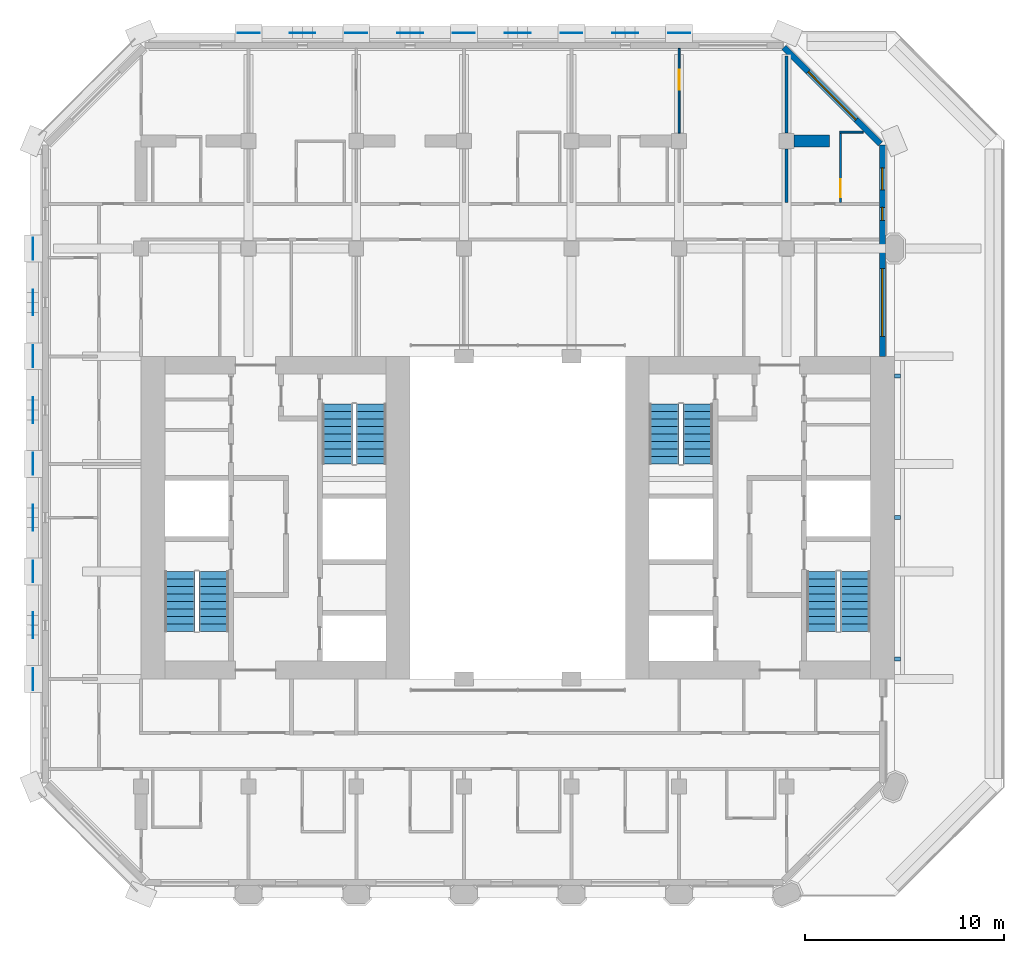
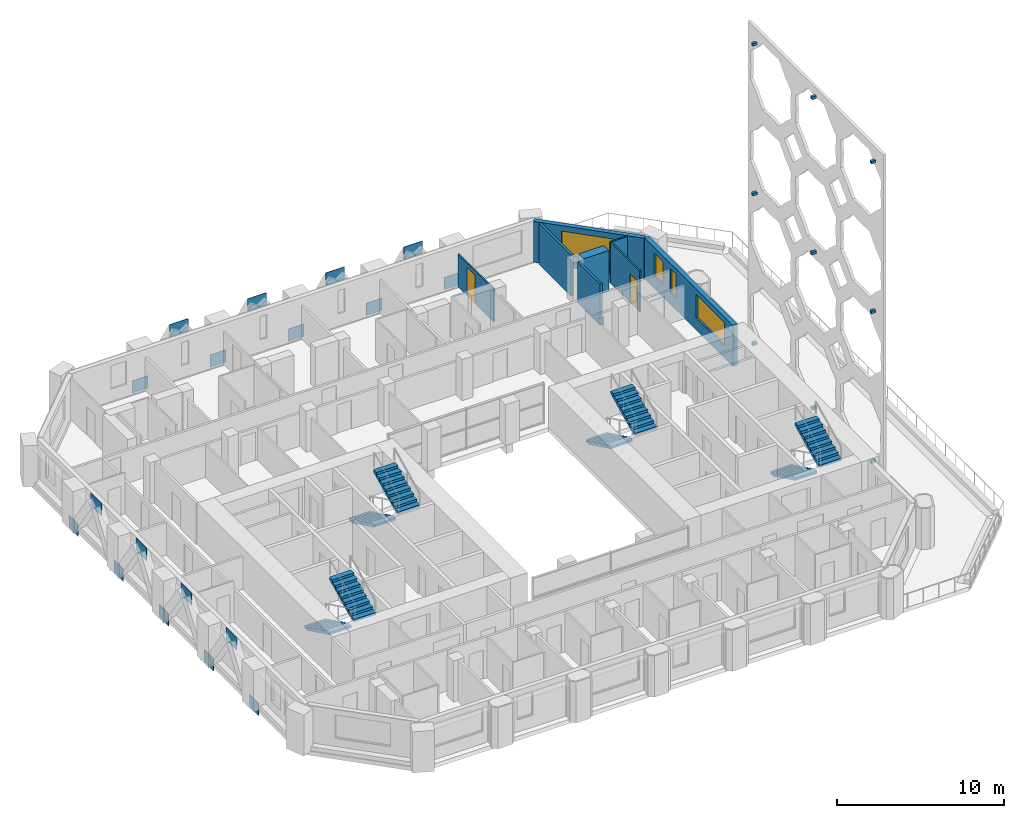
# One storey, part 12 of 15: 27 discrete accessories, 8 stair flights, 8 walls, 4 windows, 2 doors, 6 openings, 4 elements without a shape of their own.
"""IFC4 building model written with IfcOpenShell, lengths in metres."""

import ifcopenshell
import ifcopenshell.guid

model = None  # the IFC model being written
_history = None  # IfcOwnerHistory: only IFC2X3 demands one
_inside = {}  # id of a spatial element -> (the spatial element, [elements in it])
_under = {}  # id of a project, library or spatial element -> (it, [spatial elements below it])
_declared = {}  # id of a project -> (the project, [libraries it declares])
_typed = {}  # id of a type object -> (the type object, [elements of that type])
_made_of = {}  # id of a material, layer set ... -> (it, [elements and type objects made of it])


def new_model(schema):
    """Start an empty IFC model of exactly this schema.

    Asked for "IFC4X3", IfcOpenShell would pick the latest addendum, in which some entities
    have other attributes; the version numbers below select the first issue.
    IFC2X3 requires an IfcOwnerHistory on every rooted entity: one is made here for all.
    """
    global model, _history
    if schema == "IFC4X3":
        model = ifcopenshell.file(schema_version=(4, 3, 0, 0))
    else:
        model = ifcopenshell.file(schema=schema)
    _inside.clear()
    _under.clear()
    _declared.clear()
    _typed.clear()
    _made_of.clear()
    _history = None
    if model.schema == "IFC2X3":
        org = make("IfcOrganization", Name="unknown")
        user = make(
            "IfcPersonAndOrganization",
            ThePerson=make("IfcPerson", FamilyName="unknown"),
            TheOrganization=org,
        )
        app = make(
            "IfcApplication",
            ApplicationDeveloper=org,
            Version="unknown",
            ApplicationFullName="unknown",
            ApplicationIdentifier="unknown",
        )
        _history = make(
            "IfcOwnerHistory",
            OwningUser=user,
            OwningApplication=app,
            ChangeAction="ADDED",
            CreationDate=0,
        )
    return model


def make(cls, **values):
    """One entity of the class cls with the attributes given. An attribute that is None is left unset."""
    return model.create_entity(
        cls, **{name: value for name, value in values.items() if value is not None}
    )


def rooted(cls, **values):
    """An entity with a GlobalId (a new one), such as an element, a storey or a relation."""
    return make(cls, GlobalId=ifcopenshell.guid.new(), OwnerHistory=_history, **values)


def si_unit(unit_type, name, prefix=None):
    """IfcSIUnit, for example si_unit("LENGTHUNIT", "METRE", prefix="MILLI")."""
    return make("IfcSIUnit", UnitType=unit_type, Prefix=prefix, Name=name)


def assignment(units):
    """IfcUnitAssignment: the units of a project."""
    return None if units is None else make("IfcUnitAssignment", Units=units)


def point(xyz):
    """IfcCartesianPoint."""
    return None if xyz is None else make("IfcCartesianPoint", Coordinates=xyz)


def direction(xyz):
    """IfcDirection."""
    return None if xyz is None else make("IfcDirection", DirectionRatios=xyz)


def frame(location, z_axis=None, x_axis=None):
    """IfcAxis2Placement3D, a coordinate frame: its origin and axes. An axis left out is left unset."""
    return make(
        "IfcAxis2Placement3D",
        Location=point(location),
        Axis=direction(z_axis),
        RefDirection=direction(x_axis),
    )


def frame_2d(location, x_axis=None):
    """IfcAxis2Placement2D, a coordinate frame in the plane: its origin and x axis."""
    return make(
        "IfcAxis2Placement2D", Location=point(location), RefDirection=direction(x_axis)
    )


def origin():
    """The frame at (0, 0, 0) with its axes left unset."""
    return frame((0.0, 0.0, 0.0))


def origin_2d():
    """The frame at (0, 0) in the plane with its x axis left unset."""
    return frame_2d((0.0, 0.0))


def place(relative_to, where):
    """IfcLocalPlacement: puts the frame where relative to a parent placement (None: the world)."""
    return make(
        "IfcLocalPlacement", PlacementRelTo=relative_to, RelativePlacement=where
    )


def context(
    kind, dimensions, precision=None, world=None, true_north=None, identifier=None
):
    """IfcGeometricRepresentationContext, for example the 3D "Model" context."""
    return make(
        "IfcGeometricRepresentationContext",
        ContextIdentifier=identifier,
        ContextType=kind,
        CoordinateSpaceDimension=dimensions,
        Precision=precision,
        WorldCoordinateSystem=world,
        TrueNorth=true_north,
    )


def subcontext(parent, identifier, kind, view, scale=None):
    """IfcGeometricRepresentationSubContext, for example "Body" below "Model"."""
    return make(
        "IfcGeometricRepresentationSubContext",
        ContextIdentifier=identifier,
        ContextType=kind,
        ParentContext=parent,
        TargetScale=scale,
        TargetView=view,
    )


def project(units=None, contexts=None):
    """IfcProject with its units and contexts."""
    return rooted(
        "IfcProject",
        Name="project",
        RepresentationContexts=contexts,
        UnitsInContext=assignment(units),
    )


def spatial(cls, under=None, at=None, **own):
    """A site, building, storey or space (cls), placed at a placement, below another one or the project."""
    s = rooted(cls, ObjectPlacement=at, **own)
    if under is not None:
        _under.setdefault(under.id(), (under, []))[1].append(s)
    return s


def polyline(points):
    """IfcPolyline through the points."""
    return make("IfcPolyline", Points=[point(p) for p in points])


def profile(cls, at=None, kind="AREA", **sizes):
    """A parametric profile (cls). Its sizes go by their IFC names, for example OverallWidth=200.0."""
    return make(cls, ProfileType=kind, Position=at, **sizes)


def rectangle(**sizes):
    """IfcRectangleProfileDef."""
    return profile("IfcRectangleProfileDef", **sizes)


def outline(outer, holes=None, kind="AREA"):
    """IfcArbitraryClosedProfileDef: a profile drawn as a closed curve; with holes, ...WithVoids."""
    if holes is None:
        return make("IfcArbitraryClosedProfileDef", ProfileType=kind, OuterCurve=outer)
    return make(
        "IfcArbitraryProfileDefWithVoids",
        ProfileType=kind,
        OuterCurve=outer,
        InnerCurves=holes,
    )


def extrude(swept, where, along, depth):
    """IfcExtrudedAreaSolid: the profile swept, set in the frame where, extruded along a direction by depth."""
    return make(
        "IfcExtrudedAreaSolid",
        SweptArea=swept,
        Position=where,
        ExtrudedDirection=direction(along),
        Depth=depth,
    )


def shape(context_of_items, identifier, shape_type, items):
    """IfcShapeRepresentation: the items that make up one representation, for example the "Body"."""
    return make(
        "IfcShapeRepresentation",
        ContextOfItems=context_of_items,
        RepresentationIdentifier=identifier,
        RepresentationType=shape_type,
        Items=items,
    )


def material(Name=None, Category=None):
    """IfcMaterial."""
    return make("IfcMaterial", Name=Name, Category=Category)


def layer(
    of_material, thickness, ventilated=None, Name=None, Category=None, Priority=None
):
    """IfcMaterialLayer: one layer of a wall or slab, of a material (None: an air gap)."""
    return make(
        "IfcMaterialLayer",
        Material=of_material,
        LayerThickness=thickness,
        IsVentilated=ventilated,
        Name=Name,
        Category=Category,
        Priority=Priority,
    )


def layer_set(layers, Name=None):
    """IfcMaterialLayerSet."""
    return make("IfcMaterialLayerSet", MaterialLayers=layers, LayerSetName=Name)


def made_of(thing, what):
    """Note that an element or type object is made of a material, layer set ...; save() writes the relation."""
    if what is not None:
        _made_of.setdefault(what.id(), (what, []))[1].append(thing)
    return thing


def type_object(cls, material=None, **own):
    """A type object (cls), such as IfcWallType, which elements share."""
    return made_of(rooted(cls, **own), material)


def element(
    cls,
    number,
    at=None,
    inside=None,
    cuts=None,
    type_object=None,
    material=None,
    context=None,
    identifier="Body",
    shape_type=None,
    held_by="IfcProductDefinitionShape",
    body=None,
    shapes=None,
    **own,
):
    """One element of the class cls, such as IfcWall. Its Tag is "e" and its number.

    at: its placement. inside: the storey or other place that contains it. cuts: it is an
    opening in that element (IfcRelVoidsElement). A single representation is given by context,
    identifier, shape_type and body (its items); several are given by shapes. held_by: the class
    of the entity that holds the representations. save() writes the other relations.
    """
    e = rooted(cls, Tag="e%d" % number, ObjectPlacement=at, **own)
    if body is not None:
        shapes = [shape(context, identifier, shape_type, body)]
    if shapes is not None:
        e.Representation = make(held_by, Representations=shapes)
    if inside is not None:
        _inside.setdefault(inside.id(), (inside, []))[1].append(e)
    if cuts is not None:
        rooted(
            "IfcRelVoidsElement", RelatingBuildingElement=cuts, RelatedOpeningElement=e
        )
    if type_object is not None:
        _typed.setdefault(type_object.id(), (type_object, []))[1].append(e)
    return made_of(e, material)


def fill(opening, filler):
    """IfcRelFillsElement: the door or window that sits in an opening."""
    return rooted(
        "IfcRelFillsElement",
        RelatingOpeningElement=opening,
        RelatedBuildingElement=filler,
    )


def aggregate(whole, parts):
    """IfcRelAggregates: a whole, such as a stair, and the parts it consists of."""
    return rooted("IfcRelAggregates", RelatingObject=whole, RelatedObjects=parts)


def save(model, path):
    """Write the relations noted so far, then the file.

    IfcRelAggregates (storeys below a building ...), IfcRelContainedInSpatialStructure (elements
    in a storey), IfcRelDefinesByType, IfcRelAssociatesMaterial and IfcRelDeclares: one each for
    every whole, place, type object, material and project.
    """
    for whole, parts in _under.values():
        aggregate(whole, parts)
    for where, things in _inside.values():
        rooted(
            "IfcRelContainedInSpatialStructure",
            RelatedElements=things,
            RelatingStructure=where,
        )
    for kind, things in _typed.values():
        rooted("IfcRelDefinesByType", RelatedObjects=things, RelatingType=kind)
    for what, things in _made_of.values():
        rooted("IfcRelAssociatesMaterial", RelatedObjects=things, RelatingMaterial=what)
    for by, libraries in _declared.values():
        rooted("IfcRelDeclares", RelatingContext=by, RelatedDefinitions=libraries)
    model.write(path)


model = new_model("IFC4")

# Units and contexts
model_context = context("Model", 3, precision=1e-05, world=origin(), true_north=direction((0.0, 1.0)))
body_context = subcontext(model_context, "Body", "Model", "MODEL_VIEW")
ifc_project = project(units=[si_unit("LENGTHUNIT", "METRE"), si_unit("AREAUNIT", "SQUARE_METRE"), si_unit("VOLUMEUNIT", "CUBIC_METRE"), si_unit("PLANEANGLEUNIT", "RADIAN"), si_unit("MASSUNIT", "GRAM", prefix="KILO")], contexts=[model_context])

# Site, building, storey
site_placement = place(None, origin())
site = spatial("IfcSite", under=ifc_project, at=site_placement, CompositionType="ELEMENT")
building_placement = place(site_placement, origin())
building = spatial("IfcBuilding", under=site, at=building_placement, Name="Tabaq Tower and Sports Hall", CompositionType="ELEMENT")
storey_placement = place(building_placement, frame((0.0, 0.0, 207.10009765625)))
storey = spatial("IfcBuildingStorey", under=building, at=storey_placement, Name="L51", CompositionType="ELEMENT", Elevation=207.10009765625)

# Wall
ifc_material_1 = material(Name="Gypsum board on steel studs", Category="steel")
ifc_layer_1 = layer(ifc_material_1, 0.10009765625)
ifc_layer_set_1 = layer_set([ifc_layer_1], Name="Partition 100 Gypsum board")
wall_type_1 = type_object("IfcWallType", Name="Partition 100 Gypsum board", PredefinedType="PARTITIONING", material=ifc_layer_set_1)
wall_1_placement = place(storey_placement, frame((40.449951171875, 43.64990234375, 0.0), z_axis=(0.0, 0.0, 1.0), x_axis=(1.0, 0.0, 0.0)))
element("IfcWall", 1, at=wall_1_placement, inside=storey, type_object=wall_type_1, Name="Partition wall L51", PredefinedType="PARTITIONING", context=body_context, shape_type="SweptSolid", body=[
    extrude(rectangle(XDim=1.18798828125, YDim=0.10009765625, at=frame_2d((0.593994140625, 0.0))), origin(), (0.0, 0.0, 1.0), 3.0),
])

# Wall, opening, door
wall_2_placement = place(storey_placement, frame((40.5, 40.125, 0.0), z_axis=(0.0, 0.0, 1.0), x_axis=(0.0, 1.0, 0.0)))
wall_2 = element("IfcWall", 2, at=wall_2_placement, inside=storey, type_object=wall_type_1, Name="Partition wall L51", PredefinedType="PARTITIONING", context=body_context, shape_type="SweptSolid", body=[
    extrude(rectangle(XDim=3.47509765625, YDim=0.10009765625, at=frame_2d((1.737548828125, 0.0))), origin(), (0.0, 0.0, 1.0), 3.0),
])
opening_1_placement = place(wall_2_placement, frame((0.25, 0.0, 0.0)))
opening_1 = element("IfcOpeningElement", 3, at=opening_1_placement, cuts=wall_2, Name="Opening L51-002", PredefinedType="OPENING", context=body_context, shape_type="SweptSolid", body=[
    extrude(rectangle(XDim=0.89990234375, YDim=2.10009765625, at=frame_2d((0.449951171875, 1.050048828125))), frame((0.0, 0.050048828125, 0.0), z_axis=(0.0, -1.0, 0.0), x_axis=(1.0, 0.0, 0.0)), (0.0, 0.0, 1.0), 0.10009765625),
])
ifc_material_2 = material(Name="Timber leaf in steel frame", Category="steel")
door_type_1 = type_object("IfcDoorType", Name="Internal door 900 right hand", OperationType="SINGLE_SWING_RIGHT", PredefinedType="DOOR", material=ifc_material_2)
door_1_placement = place(opening_1_placement, origin())
door_1 = element("IfcDoor", 4, at=door_1_placement, inside=storey, type_object=door_type_1, Name="Internal door L51-002", OperationType="SINGLE_SWING_RIGHT", OverallHeight=2.10009765625, OverallWidth=0.89990234375, PredefinedType="DOOR", context=body_context, shape_type="SweptSolid", body=[
    extrude(rectangle(XDim=0.89990234375, YDim=2.10009765625, at=frame_2d((0.449951171875, 1.050048828125))), frame((0.0, 0.02490234375, 0.0), z_axis=(0.0, -1.0, 0.0), x_axis=(1.0, 0.0, 0.0)), (0.0, 0.0, 1.0), 0.050048828125),
])
fill(opening_1, door_1)

wall_3_placement = place(storey_placement, frame((32.39990234375, 43.594970703125, 0.0), z_axis=(0.0, 0.0, 1.0), x_axis=(0.0, 1.0, 0.0)))
wall_3 = element("IfcWall", 5, at=wall_3_placement, inside=storey, type_object=wall_type_1, Name="Partition wall L51", PredefinedType="PARTITIONING", context=body_context, shape_type="SweptSolid", body=[
    extrude(rectangle(XDim=4.254150390625, YDim=0.10009765625, at=frame_2d((2.126953125, 0.0))), origin(), (0.0, 0.0, 1.0), 2.39990234375),
])
opening_2_placement = place(wall_3_placement, frame((2.179931640625, 0.0, 0.0)))
opening_2 = element("IfcOpeningElement", 6, at=opening_2_placement, cuts=wall_3, Name="Opening L51-029", PredefinedType="OPENING", context=body_context, shape_type="SweptSolid", body=[
    extrude(rectangle(XDim=1.0, YDim=2.10009765625, at=frame_2d((0.5, 1.050048828125))), frame((0.0, 0.050048828125, 0.0), z_axis=(0.0, -1.0, 0.0), x_axis=(1.0, 0.0, 0.0)), (0.0, 0.0, 1.0), 0.10009765625),
])
ifc_material_3 = material(Name="Timber leaf in steel frame", Category="steel")
door_type_2 = type_object("IfcDoorType", Name="Internal door 1000 right hand", OperationType="SINGLE_SWING_RIGHT", PredefinedType="DOOR", material=ifc_material_3)
door_2_placement = place(opening_2_placement, origin())
door_2 = element("IfcDoor", 7, at=door_2_placement, inside=storey, type_object=door_type_2, Name="Internal door L51-029", OperationType="SINGLE_SWING_RIGHT", OverallHeight=2.10009765625, OverallWidth=1.0, PredefinedType="DOOR", context=body_context, shape_type="SweptSolid", body=[
    extrude(rectangle(XDim=1.0, YDim=2.10009765625, at=frame_2d((0.5, 1.050048828125))), frame((0.0, 0.02490234375, 0.0), z_axis=(0.0, -1.0, 0.0), x_axis=(1.0, 0.0, 0.0)), (0.0, 0.0, 1.0), 0.050048828125),
])
fill(opening_2, door_2)

# Walls
ifc_material_4 = material(Name="Concrete C50/60", Category="concrete")
ifc_layer_2 = layer(ifc_material_4, 0.60009765625)
ifc_layer_set_2 = layer_set([ifc_layer_2], Name="RC TRANSFER WALL 600 C50/60")
wall_type_2 = type_object("IfcWallType", Name="RC TRANSFER WALL 600 C50/60", PredefinedType="SHEAR", material=ifc_layer_set_2)
wall_4_placement = place(storey_placement, frame((38.175048828125, 43.199951171875, 0.0), z_axis=(0.0, 0.0, 1.0), x_axis=(1.0, 0.0, 0.0)))
element("IfcWall", 8, at=wall_4_placement, inside=storey, type_object=wall_type_2, Name="Transfer Wall L51 North 10", PredefinedType="SHEAR", context=body_context, shape_type="SweptSolid", body=[
    extrude(rectangle(XDim=1.762451171875, YDim=0.60009765625, at=frame_2d((0.88134765625, 0.0))), origin(), (0.0, 0.0, 1.0), 3.0),
])
ifc_material_5 = material(Name="Blockwork", Category="masonry")
ifc_layer_3 = layer(ifc_material_5, 0.14990234375)
ifc_layer_set_3 = layer_set([ifc_layer_3], Name="Separating wall 150 Blockwork")
wall_type_3 = type_object("IfcWallType", Name="Separating wall 150 Blockwork", PredefinedType="PARTITIONING", material=ifc_layer_set_3)
wall_5_placement = place(storey_placement, frame((37.800048828125, 47.462890625, 0.0), z_axis=(0.0, 0.0, 1.0), x_axis=(0.0, -1.0, 0.0)))
element("IfcWall", 9, at=wall_5_placement, inside=storey, type_object=wall_type_3, Name="Separating wall L51", PredefinedType="PARTITIONING", context=body_context, shape_type="SweptSolid", body=[
    extrude(rectangle(XDim=3.867919921875, YDim=0.14990234375, at=frame_2d((1.93408203125, 0.0))), origin(), (0.0, 0.0, 1.0), 3.0),
])
wall_6_placement = place(storey_placement, frame((37.800048828125, 42.804931640625, 0.0), z_axis=(0.0, 0.0, 1.0), x_axis=(0.0, -1.0, 0.0)))
element("IfcWall", 10, at=wall_6_placement, inside=storey, type_object=wall_type_3, Name="Separating wall L51", PredefinedType="PARTITIONING", context=body_context, shape_type="SweptSolid", body=[
    extrude(rectangle(XDim=2.679931640625, YDim=0.14990234375, at=frame_2d((1.33984375, 0.0))), origin(), (0.0, 0.0, 1.0), 3.0),
])

# Wall, openings, windows
ifc_material_6 = material(Name="White precast concrete C60/75", Category="concrete")
ifc_layer_4 = layer(ifc_material_6, 0.300048828125)
ifc_layer_set_4 = layer_set([ifc_layer_4], Name="White precast concrete C60/75 external wall 300")
wall_type_4 = type_object("IfcWallType", Name="White precast concrete C60/75 external wall 300", PredefinedType="SOLIDWALL", material=ifc_layer_set_4)
wall_7_placement = place(storey_placement, frame((42.60009765625, 32.39990234375, 0.0), z_axis=(0.0, 0.0, 1.0), x_axis=(0.0, 1.0, 0.0)))
wall_7 = element("IfcWall", 11, at=wall_7_placement, inside=storey, type_object=wall_type_4, Name="External Wall L51 E", PredefinedType="SOLIDWALL", context=body_context, shape_type="SweptSolid", body=[
    extrude(rectangle(XDim=10.61376953125, YDim=0.300048828125, at=frame_2d((5.306884765625, 0.0))), origin(), (0.0, 0.0, 1.0), 3.0),
])
opening_3_placement = place(wall_7_placement, frame((1.0, 0.0, 0.89990234375)))
opening_3 = element("IfcOpeningElement", 12, at=opening_3_placement, cuts=wall_7, Name="Opening W1A", PredefinedType="OPENING", context=body_context, shape_type="SweptSolid", body=[
    extrude(rectangle(XDim=3.39990234375, YDim=1.699951171875, at=frame_2d((1.699951171875, 0.85009765625))), frame((0.0, 0.16015625, 0.0), z_axis=(0.0, -1.0, 0.0), x_axis=(1.0, 0.0, 0.0)), (0.0, 0.0, 1.0), 0.320068359375),
])
opening_4_placement = place(wall_7_placement, frame((6.824951171875, 0.0, 0.89990234375)))
opening_4 = element("IfcOpeningElement", 13, at=opening_4_placement, cuts=wall_7, Name="Opening W1C", PredefinedType="OPENING", context=body_context, shape_type="SweptSolid", body=[
    extrude(rectangle(XDim=0.64990234375, YDim=1.699951171875, at=frame_2d((0.324951171875, 0.85009765625))), frame((0.0, 0.16015625, 0.0), z_axis=(0.0, -1.0, 0.0), x_axis=(1.0, 0.0, 0.0)), (0.0, 0.0, 1.0), 0.320068359375),
])
opening_5_placement = place(wall_7_placement, frame((8.35009765625, 0.0, 0.89990234375)))
opening_5 = element("IfcOpeningElement", 14, at=opening_5_placement, cuts=wall_7, Name="Opening W1B", PredefinedType="OPENING", context=body_context, shape_type="SweptSolid", body=[
    extrude(rectangle(XDim=1.10009765625, YDim=1.699951171875, at=frame_2d((0.550048828125, 0.85009765625))), frame((0.0, 0.16015625, 0.0), z_axis=(0.0, -1.0, 0.0), x_axis=(1.0, 0.0, 0.0)), (0.0, 0.0, 1.0), 0.320068359375),
])
ifc_material_7 = material(Name="Aluminium framed clear glazing", Category="aluminium")
window_type_1 = type_object("IfcWindowType", Name="Window W1A", PartitioningType="SINGLE_PANEL", PredefinedType="WINDOW", material=ifc_material_7)
window_1_placement = place(opening_3_placement, origin())
window_1 = element("IfcWindow", 15, at=window_1_placement, inside=storey, type_object=window_type_1, Name="Window W1A L51", OverallHeight=1.699951171875, OverallWidth=3.39990234375, PartitioningType="SINGLE_PANEL", PredefinedType="WINDOW", context=body_context, shape_type="SweptSolid", body=[
    extrude(rectangle(XDim=3.39990234375, YDim=1.699951171875, at=frame_2d((1.699951171875, 0.85009765625))), frame((0.0, 0.030029296875, 0.0), z_axis=(0.0, -1.0, 0.0), x_axis=(1.0, 0.0, 0.0)), (0.0, 0.0, 1.0), 0.06005859375),
])
fill(opening_3, window_1)
ifc_material_8 = material(Name="Aluminium framed clear glazing", Category="aluminium")
window_type_2 = type_object("IfcWindowType", Name="Window W1B", PartitioningType="SINGLE_PANEL", PredefinedType="WINDOW", material=ifc_material_8)
window_2_placement = place(opening_5_placement, origin())
window_2 = element("IfcWindow", 16, at=window_2_placement, inside=storey, type_object=window_type_2, Name="Window W1B L51", OverallHeight=1.699951171875, OverallWidth=1.10009765625, PartitioningType="SINGLE_PANEL", PredefinedType="WINDOW", context=body_context, shape_type="SweptSolid", body=[
    extrude(rectangle(XDim=1.10009765625, YDim=1.699951171875, at=frame_2d((0.550048828125, 0.85009765625))), frame((0.0, 0.030029296875, 0.0), z_axis=(0.0, -1.0, 0.0), x_axis=(1.0, 0.0, 0.0)), (0.0, 0.0, 1.0), 0.06005859375),
])
fill(opening_5, window_2)
ifc_material_9 = material(Name="Aluminium framed clear glazing", Category="aluminium")
window_type_3 = type_object("IfcWindowType", Name="Window W1C", PartitioningType="SINGLE_PANEL", PredefinedType="WINDOW", material=ifc_material_9)
window_3_placement = place(opening_4_placement, origin())
window_3 = element("IfcWindow", 17, at=window_3_placement, inside=storey, type_object=window_type_3, Name="Window W1C L51", OverallHeight=1.699951171875, OverallWidth=0.64990234375, PartitioningType="SINGLE_PANEL", PredefinedType="WINDOW", context=body_context, shape_type="SweptSolid", body=[
    extrude(rectangle(XDim=0.64990234375, YDim=1.699951171875, at=frame_2d((0.324951171875, 0.85009765625))), frame((0.0, 0.030029296875, 0.0), z_axis=(0.0, -1.0, 0.0), x_axis=(1.0, 0.0, 0.0)), (0.0, 0.0, 1.0), 0.06005859375),
])
fill(opening_4, window_3)

# Wall, opening, window
wall_8_placement = place(storey_placement, frame((42.5009765625, 43.050537109375, 0.0), z_axis=(0.0, 0.0, 1.0), x_axis=(-0.707106781187, 0.707106781187, 0.0)))
wall_8 = element("IfcWall", 18, at=wall_8_placement, inside=storey, type_object=wall_type_4, Name="External Wall L51 NE", PredefinedType="SOLIDWALL", context=body_context, shape_type="SweptSolid", body=[
    extrude(rectangle(XDim=6.85986328125, YDim=0.300048828125, at=frame_2d((3.429931640625, 0.0))), origin(), (0.0, 0.0, 1.0), 3.0),
])
opening_6_placement = place(wall_8_placement, frame((1.729736328125, 0.0, 0.89990234375)))
opening_6 = element("IfcOpeningElement", 19, at=opening_6_placement, cuts=wall_8, Name="Opening W1A", PredefinedType="OPENING", context=body_context, shape_type="SweptSolid", body=[
    extrude(rectangle(XDim=3.39990234375, YDim=1.699951171875, at=frame_2d((1.699951171875, 0.85009765625))), frame((0.0, 0.16015625, 0.0), z_axis=(0.0, -1.0, 0.0), x_axis=(1.0, 0.0, 0.0)), (0.0, 0.0, 1.0), 0.320068359375),
])
window_4_placement = place(opening_6_placement, origin())
window_4 = element("IfcWindow", 20, at=window_4_placement, inside=storey, type_object=window_type_1, Name="Window W1A L51", OverallHeight=1.699951171875, OverallWidth=3.39990234375, PartitioningType="SINGLE_PANEL", PredefinedType="WINDOW", context=body_context, shape_type="SweptSolid", body=[
    extrude(rectangle(XDim=3.39990234375, YDim=1.699951171875, at=frame_2d((1.699951171875, 0.85009765625))), frame((0.0, 0.030029296875, 0.0), z_axis=(0.0, -1.0, 0.0), x_axis=(1.0, 0.0, 0.0)), (0.0, 0.0, 1.0), 0.06005859375),
])
fill(opening_6, window_4)

# Stair, stair flights
ifc_material_10 = material(Name="Concrete C40/50", Category="concrete")
stair_type = type_object("IfcStairType", Name="Exit stair", PredefinedType="HALF_TURN_STAIR", material=ifc_material_10)
stair_1_placement = place(storey_placement, origin())
stair_1 = element("IfcStair", 21, at=stair_1_placement, inside=storey, type_object=stair_type, Name="L51 Exit stair ST1", PredefinedType="HALF_TURN_STAIR")
ifc_material_11 = material(Name="Concrete C40/50", Category="concrete")
stair_flight_type = type_object("IfcStairFlightType", Name="Exit stair flight", PredefinedType="STRAIGHT", material=ifc_material_11)
stair_flight_1_placement = place(storey_placement, frame((7.35009765625, 21.60009765625, 0.0), z_axis=(0.0, 0.0, 1.0), x_axis=(0.0, -1.0, 0.0)))
stair_flight_1 = element("IfcStairFlight", 22, at=stair_flight_1_placement, type_object=stair_flight_type, Name="ST1 flight 1", NumberOfRisers=9, NumberOfTreads=8, PredefinedType="STRAIGHT", RiserHeight=0.183333333, TreadLength=0.375, context=body_context, shape_type="SweptSolid", body=[
    extrude(outline(polyline([(0.0, 0.0), (0.0, 0.183349609375), (0.375, 0.183349609375), (0.375, 0.36669921875), (0.75, 0.36669921875), (0.75, 0.550048828125), (1.125, 0.550048828125), (1.125, 0.7333984375), (1.5, 0.7333984375), (1.5, 0.916748046875), (1.875, 0.916748046875), (1.875, 1.10009765625), (2.25, 1.10009765625), (2.25, 1.283447265625), (2.625, 1.283447265625), (2.625, 1.466552734375), (3.0, 1.466552734375), (3.0, 1.64990234375), (3.0, 1.2998046875), (0.34130859375, 0.0), (0.0, 0.0)])), frame((0.0, 0.75, 0.0), z_axis=(0.0, -1.0, 0.0), x_axis=(1.0, 0.0, 0.0)), (0.0, 0.0, 1.0), 1.5),
])
stair_flight_2_placement = place(storey_placement, frame((9.050048828125, 18.60009765625, 1.64990234375), z_axis=(0.0, 0.0, 1.0), x_axis=(0.0, 1.0, 0.0)))
stair_flight_2 = element("IfcStairFlight", 23, at=stair_flight_2_placement, type_object=stair_flight_type, Name="ST1 flight 2", NumberOfRisers=9, NumberOfTreads=8, PredefinedType="STRAIGHT", RiserHeight=0.183333333, TreadLength=0.375, context=body_context, shape_type="SweptSolid", body=[
    extrude(outline(polyline([(0.0, 0.0), (0.0, 0.183349609375), (0.375, 0.183349609375), (0.375, 0.36669921875), (0.75, 0.36669921875), (0.75, 0.550048828125), (1.125, 0.550048828125), (1.125, 0.7333984375), (1.5, 0.7333984375), (1.5, 0.916748046875), (1.875, 0.916748046875), (1.875, 1.10009765625), (2.25, 1.10009765625), (2.25, 1.283447265625), (2.625, 1.283447265625), (2.625, 1.466552734375), (3.0, 1.466552734375), (3.0, 1.64990234375), (3.0, 1.2998046875), (0.34130859375, 0.0), (0.0, 0.0)])), frame((0.0, 0.75, 0.0), z_axis=(0.0, -1.0, 0.0), x_axis=(1.0, 0.0, 0.0)), (0.0, 0.0, 1.0), 1.5),
])
aggregate(stair_1, [stair_flight_1, stair_flight_2])

stair_2_placement = place(storey_placement, origin())
stair_2 = element("IfcStair", 24, at=stair_2_placement, inside=storey, type_object=stair_type, Name="L51 Exit stair ST2", PredefinedType="HALF_TURN_STAIR")
stair_flight_3_placement = place(storey_placement, frame((15.25, 30.0, 0.0), z_axis=(0.0, 0.0, 1.0), x_axis=(0.0, -1.0, 0.0)))
stair_flight_3 = element("IfcStairFlight", 25, at=stair_flight_3_placement, type_object=stair_flight_type, Name="ST2 flight 1", NumberOfRisers=9, NumberOfTreads=8, PredefinedType="STRAIGHT", RiserHeight=0.183333333, TreadLength=0.375, context=body_context, shape_type="SweptSolid", body=[
    extrude(outline(polyline([(0.0, 0.0), (0.0, 0.183349609375), (0.375, 0.183349609375), (0.375, 0.36669921875), (0.75, 0.36669921875), (0.75, 0.550048828125), (1.125, 0.550048828125), (1.125, 0.7333984375), (1.5, 0.7333984375), (1.5, 0.916748046875), (1.875, 0.916748046875), (1.875, 1.10009765625), (2.25, 1.10009765625), (2.25, 1.283447265625), (2.625, 1.283447265625), (2.625, 1.466552734375), (3.0, 1.466552734375), (3.0, 1.64990234375), (3.0, 1.2998046875), (0.34130859375, 0.0), (0.0, 0.0)])), frame((0.0, 0.75, 0.0), z_axis=(0.0, -1.0, 0.0), x_axis=(1.0, 0.0, 0.0)), (0.0, 0.0, 1.0), 1.5),
])
stair_flight_4_placement = place(storey_placement, frame((16.949951171875, 27.0, 1.64990234375), z_axis=(0.0, 0.0, 1.0), x_axis=(0.0, 1.0, 0.0)))
stair_flight_4 = element("IfcStairFlight", 26, at=stair_flight_4_placement, type_object=stair_flight_type, Name="ST2 flight 2", NumberOfRisers=9, NumberOfTreads=8, PredefinedType="STRAIGHT", RiserHeight=0.183333333, TreadLength=0.375, context=body_context, shape_type="SweptSolid", body=[
    extrude(outline(polyline([(0.0, 0.0), (0.0, 0.183349609375), (0.375, 0.183349609375), (0.375, 0.36669921875), (0.75, 0.36669921875), (0.75, 0.550048828125), (1.125, 0.550048828125), (1.125, 0.7333984375), (1.5, 0.7333984375), (1.5, 0.916748046875), (1.875, 0.916748046875), (1.875, 1.10009765625), (2.25, 1.10009765625), (2.25, 1.283447265625), (2.625, 1.283447265625), (2.625, 1.466552734375), (3.0, 1.466552734375), (3.0, 1.64990234375), (3.0, 1.2998046875), (0.34130859375, 0.0), (0.0, 0.0)])), frame((0.0, 0.75, 0.0), z_axis=(0.0, -1.0, 0.0), x_axis=(1.0, 0.0, 0.0)), (0.0, 0.0, 1.0), 1.5),
])
aggregate(stair_2, [stair_flight_3, stair_flight_4])

stair_3_placement = place(storey_placement, origin())
stair_3 = element("IfcStair", 27, at=stair_3_placement, inside=storey, type_object=stair_type, Name="L51 Exit stair ST3", PredefinedType="HALF_TURN_STAIR")
stair_flight_5_placement = place(storey_placement, frame((39.550048828125, 21.60009765625, 0.0), z_axis=(0.0, 0.0, 1.0), x_axis=(0.0, -1.0, 0.0)))
stair_flight_5 = element("IfcStairFlight", 28, at=stair_flight_5_placement, type_object=stair_flight_type, Name="ST3 flight 1", NumberOfRisers=9, NumberOfTreads=8, PredefinedType="STRAIGHT", RiserHeight=0.183333333, TreadLength=0.375, context=body_context, shape_type="SweptSolid", body=[
    extrude(outline(polyline([(0.0, 0.0), (0.0, 0.183349609375), (0.375, 0.183349609375), (0.375, 0.36669921875), (0.75, 0.36669921875), (0.75, 0.550048828125), (1.125, 0.550048828125), (1.125, 0.7333984375), (1.5, 0.7333984375), (1.5, 0.916748046875), (1.875, 0.916748046875), (1.875, 1.10009765625), (2.25, 1.10009765625), (2.25, 1.283447265625), (2.625, 1.283447265625), (2.625, 1.466552734375), (3.0, 1.466552734375), (3.0, 1.64990234375), (3.0, 1.2998046875), (0.34130859375, 0.0), (0.0, 0.0)])), frame((0.0, 0.75, 0.0), z_axis=(0.0, -1.0, 0.0), x_axis=(1.0, 0.0, 0.0)), (0.0, 0.0, 1.0), 1.5),
])
stair_flight_6_placement = place(storey_placement, frame((41.25, 18.60009765625, 1.64990234375), z_axis=(0.0, 0.0, 1.0), x_axis=(0.0, 1.0, 0.0)))
stair_flight_6 = element("IfcStairFlight", 29, at=stair_flight_6_placement, type_object=stair_flight_type, Name="ST3 flight 2", NumberOfRisers=9, NumberOfTreads=8, PredefinedType="STRAIGHT", RiserHeight=0.183333333, TreadLength=0.375, context=body_context, shape_type="SweptSolid", body=[
    extrude(outline(polyline([(0.0, 0.0), (0.0, 0.183349609375), (0.375, 0.183349609375), (0.375, 0.36669921875), (0.75, 0.36669921875), (0.75, 0.550048828125), (1.125, 0.550048828125), (1.125, 0.7333984375), (1.5, 0.7333984375), (1.5, 0.916748046875), (1.875, 0.916748046875), (1.875, 1.10009765625), (2.25, 1.10009765625), (2.25, 1.283447265625), (2.625, 1.283447265625), (2.625, 1.466552734375), (3.0, 1.466552734375), (3.0, 1.64990234375), (3.0, 1.2998046875), (0.34130859375, 0.0), (0.0, 0.0)])), frame((0.0, 0.75, 0.0), z_axis=(0.0, -1.0, 0.0), x_axis=(1.0, 0.0, 0.0)), (0.0, 0.0, 1.0), 1.5),
])
aggregate(stair_3, [stair_flight_5, stair_flight_6])

stair_4_placement = place(storey_placement, origin())
stair_4 = element("IfcStair", 30, at=stair_4_placement, inside=storey, type_object=stair_type, Name="L51 Exit stair ST4", PredefinedType="HALF_TURN_STAIR")
stair_flight_7_placement = place(storey_placement, frame((31.64990234375, 30.0, 0.0), z_axis=(0.0, 0.0, 1.0), x_axis=(0.0, -1.0, 0.0)))
stair_flight_7 = element("IfcStairFlight", 31, at=stair_flight_7_placement, type_object=stair_flight_type, Name="ST4 flight 1", NumberOfRisers=9, NumberOfTreads=8, PredefinedType="STRAIGHT", RiserHeight=0.183333333, TreadLength=0.375, context=body_context, shape_type="SweptSolid", body=[
    extrude(outline(polyline([(0.0, 0.0), (0.0, 0.183349609375), (0.375, 0.183349609375), (0.375, 0.36669921875), (0.75, 0.36669921875), (0.75, 0.550048828125), (1.125, 0.550048828125), (1.125, 0.7333984375), (1.5, 0.7333984375), (1.5, 0.916748046875), (1.875, 0.916748046875), (1.875, 1.10009765625), (2.25, 1.10009765625), (2.25, 1.283447265625), (2.625, 1.283447265625), (2.625, 1.466552734375), (3.0, 1.466552734375), (3.0, 1.64990234375), (3.0, 1.2998046875), (0.34130859375, 0.0), (0.0, 0.0)])), frame((0.0, 0.75, 0.0), z_axis=(0.0, -1.0, 0.0), x_axis=(1.0, 0.0, 0.0)), (0.0, 0.0, 1.0), 1.5),
])
stair_flight_8_placement = place(storey_placement, frame((33.35009765625, 27.0, 1.64990234375), z_axis=(0.0, 0.0, 1.0), x_axis=(0.0, 1.0, 0.0)))
stair_flight_8 = element("IfcStairFlight", 32, at=stair_flight_8_placement, type_object=stair_flight_type, Name="ST4 flight 2", NumberOfRisers=9, NumberOfTreads=8, PredefinedType="STRAIGHT", RiserHeight=0.183333333, TreadLength=0.375, context=body_context, shape_type="SweptSolid", body=[
    extrude(outline(polyline([(0.0, 0.0), (0.0, 0.183349609375), (0.375, 0.183349609375), (0.375, 0.36669921875), (0.75, 0.36669921875), (0.75, 0.550048828125), (1.125, 0.550048828125), (1.125, 0.7333984375), (1.5, 0.7333984375), (1.5, 0.916748046875), (1.875, 0.916748046875), (1.875, 1.10009765625), (2.25, 1.10009765625), (2.25, 1.283447265625), (2.625, 1.283447265625), (2.625, 1.466552734375), (3.0, 1.466552734375), (3.0, 1.64990234375), (3.0, 1.2998046875), (0.34130859375, 0.0), (0.0, 0.0)])), frame((0.0, 0.75, 0.0), z_axis=(0.0, -1.0, 0.0), x_axis=(1.0, 0.0, 0.0)), (0.0, 0.0, 1.0), 1.5),
])
aggregate(stair_4, [stair_flight_7, stair_flight_8])

# Discrete accessories
ifc_material_12 = material(Name="Steel S355", Category="steel")
ifc_layer_5 = layer(ifc_material_12, 0.030029296875)
ifc_layer_set_5 = layer_set([ifc_layer_5], Name="TRANSFER BAND NODE PLATE 1100x900x30 S355")
discrete_accessory_type_1 = type_object("IfcDiscreteAccessoryType", Name="TRANSFER BAND NODE PLATE 1100x900x30 S355", PredefinedType="ANCHORPLATE", material=ifc_layer_set_5)
for number, where, z_axis, x_axis, name in (
    (33, (10.800048828125, 48.614990234375, -0.5), (0.0, 0.0, 1.0), (-1.0, 0.0, 0.0), "Transfer band node plate L51 North"),
    (34, (16.199951171875, 48.614990234375, -0.5), (0.0, 0.0, 1.0), (-1.0, 0.0, 0.0), "Transfer band node plate L51 North"),
    (35, (21.60009765625, 48.614990234375, -0.5), (0.0, 0.0, 1.0), (-1.0, 0.0, 0.0), "Transfer band node plate L51 North"),
    (36, (27.0, 48.614990234375, -0.5), (0.0, 0.0, 1.0), (-1.0, 0.0, 0.0), "Transfer band node plate L51 North"),
    (37, (32.39990234375, 48.614990234375, -0.5), (0.0, 0.0, 1.0), (-1.0, 0.0, 0.0), "Transfer band node plate L51 North"),
    (38, (-0.014892578125, 16.199951171875, -0.5), (0.0, 0.0, 1.0), (0.0, -1.0, 0.0), "Transfer band node plate L51 West"),
    (39, (-0.014892578125, 21.60009765625, -0.5), (0.0, 0.0, 1.0), (0.0, -1.0, 0.0), "Transfer band node plate L51 West"),
    (40, (-0.014892578125, 27.0, -0.5), (0.0, 0.0, 1.0), (0.0, -1.0, 0.0), "Transfer band node plate L51 West"),
    (41, (-0.014892578125, 32.39990234375, -0.5), (0.0, 0.0, 1.0), (0.0, -1.0, 0.0), "Transfer band node plate L51 West"),
    (42, (-0.014892578125, 37.800048828125, -0.5), (0.0, 0.0, 1.0), (0.0, -1.0, 0.0), "Transfer band node plate L51 West"),
):
    element("IfcDiscreteAccessory", number, at=place(storey_placement, frame(where, z_axis=z_axis, x_axis=x_axis)), inside=storey, type_object=discrete_accessory_type_1, Name=name, PredefinedType="ANCHORPLATE", context=body_context, shape_type="SweptSolid", body=[
        extrude(rectangle(XDim=1.10009765625, YDim=0.030029296875, at=origin_2d()), origin(), (0.0, 0.0, 1.0), 0.89990234375),
    ])
ifc_material_13 = material(Name="Steel S355", Category="steel")
ifc_layer_6 = layer(ifc_material_13, 0.030029296875)
ifc_layer_set_6 = layer_set([ifc_layer_6], Name="TRANSFER BAND NODE PLATE 1300x900x30 S355")
discrete_accessory_type_2 = type_object("IfcDiscreteAccessoryType", Name="TRANSFER BAND NODE PLATE 1300x900x30 S355", PredefinedType="ANCHORPLATE", material=ifc_layer_set_6)
for number, where, z_axis, x_axis, name in (
    (43, (13.5, 48.614990234375, 2.699951171875), (0.0, 0.0, 1.0), (-1.0, 0.0, 0.0), "Transfer band node plate L51 North"),
    (44, (18.89990234375, 48.614990234375, 2.699951171875), (0.0, 0.0, 1.0), (-1.0, 0.0, 0.0), "Transfer band node plate L51 North"),
    (45, (24.300048828125, 48.614990234375, 2.699951171875), (0.0, 0.0, 1.0), (-1.0, 0.0, 0.0), "Transfer band node plate L51 North"),
    (46, (29.699951171875, 48.614990234375, 2.699951171875), (0.0, 0.0, 1.0), (-1.0, 0.0, 0.0), "Transfer band node plate L51 North"),
    (47, (-0.014892578125, 18.89990234375, 2.699951171875), (0.0, 0.0, 1.0), (0.0, -1.0, 0.0), "Transfer band node plate L51 West"),
    (48, (-0.014892578125, 24.300048828125, 2.699951171875), (0.0, 0.0, 1.0), (0.0, -1.0, 0.0), "Transfer band node plate L51 West"),
    (49, (-0.014892578125, 29.699951171875, 2.699951171875), (0.0, 0.0, 1.0), (0.0, -1.0, 0.0), "Transfer band node plate L51 West"),
    (50, (-0.014892578125, 35.10009765625, 2.699951171875), (0.0, 0.0, 1.0), (0.0, -1.0, 0.0), "Transfer band node plate L51 West"),
):
    element("IfcDiscreteAccessory", number, at=place(storey_placement, frame(where, z_axis=z_axis, x_axis=x_axis)), inside=storey, type_object=discrete_accessory_type_2, Name=name, PredefinedType="ANCHORPLATE", context=body_context, shape_type="SweptSolid", body=[
        extrude(rectangle(XDim=1.300048828125, YDim=0.030029296875, at=origin_2d()), origin(), (0.0, 0.0, 1.0), 0.89990234375),
    ])
for number, where, z_axis, x_axis, name in (
    (51, (43.35009765625, 17.199951171875, 1.89990234375), (0.0, 0.0, 1.0), (0.0, 1.0, 0.0), "Stainless steel bracket"),
    (52, (43.35009765625, 17.199951171875, 12.85009765625), (0.0, 0.0, 1.0), (0.0, 1.0, 0.0), "Stainless steel bracket"),
    (53, (43.35009765625, 17.199951171875, 23.7998046875), (0.0, 0.0, 1.0), (0.0, 1.0, 0.0), "Stainless steel bracket"),
    (54, (43.35009765625, 24.300048828125, 1.5), (0.0, 0.0, 1.0), (0.0, 1.0, 0.0), "Stainless steel bracket"),
    (55, (43.35009765625, 24.300048828125, 12.85009765625), (0.0, 0.0, 1.0), (0.0, 1.0, 0.0), "Stainless steel bracket"),
    (56, (43.35009765625, 24.300048828125, 24.19970703125), (0.0, 0.0, 1.0), (0.0, 1.0, 0.0), "Stainless steel bracket"),
    (57, (43.35009765625, 31.39990234375, 1.89990234375), (0.0, 0.0, 1.0), (0.0, 1.0, 0.0), "Stainless steel bracket"),
    (58, (43.35009765625, 31.39990234375, 12.85009765625), (0.0, 0.0, 1.0), (0.0, 1.0, 0.0), "Stainless steel bracket"),
    (59, (43.35009765625, 31.39990234375, 23.7998046875), (0.0, 0.0, 1.0), (0.0, 1.0, 0.0), "Stainless steel bracket"),
):
    element("IfcDiscreteAccessory", number, at=place(storey_placement, frame(where, z_axis=z_axis, x_axis=x_axis)), inside=storey, Name=name, PredefinedType="BRACKET", context=body_context, shape_type="SweptSolid", body=[
        extrude(rectangle(XDim=0.199951171875, YDim=0.300048828125, at=origin_2d()), origin(), (0.0, 0.0, 1.0), 0.199951171875),
    ])

save(model, "model.ifc")
